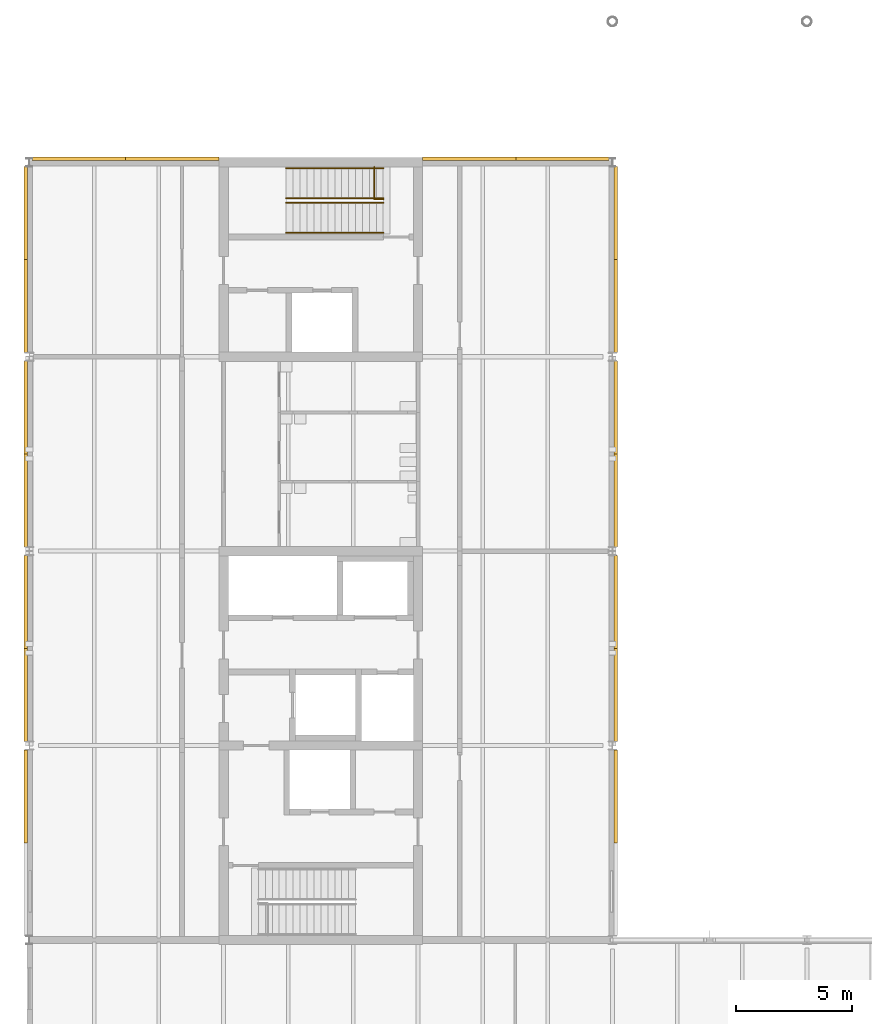
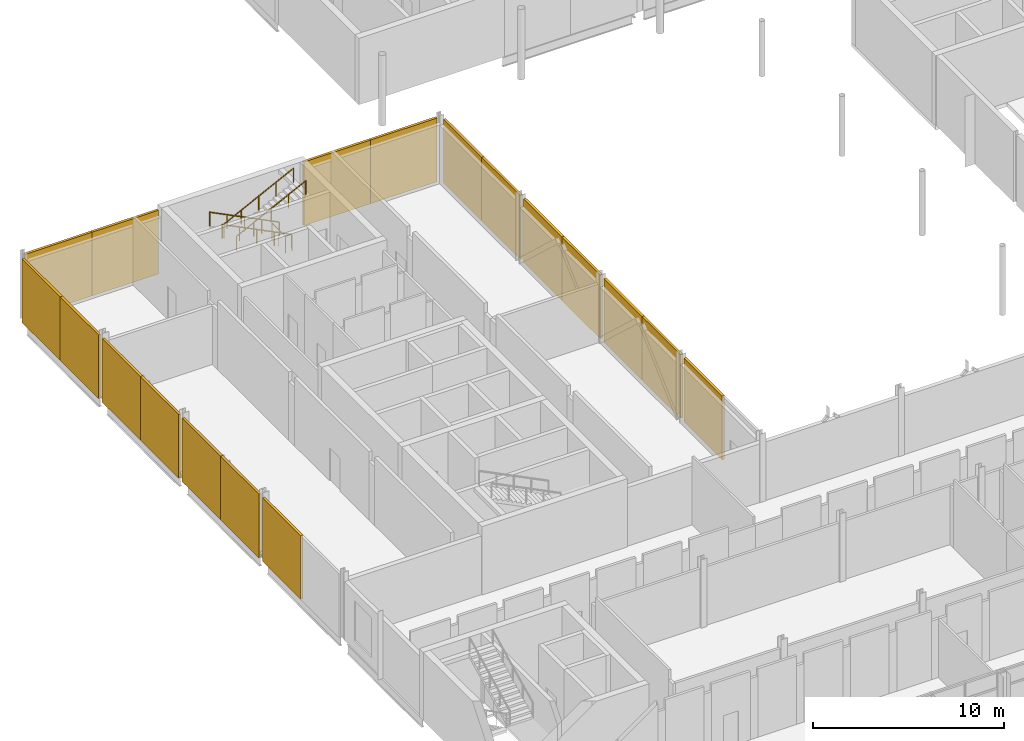
# One storey, part 80 of 89: 18 shading devices, 5 railings.
"""IFC4 building model written with IfcOpenShell, lengths in metres."""

from ifc_helpers import new_model, si_unit, direction, frame, origin, origin_2d, place, context, subcontext, project, spatial, rectangle, circle, extrude, material, layer, layer_set, type_object, element, save


model = new_model("IFC4")

# Units and contexts
model_context = context("Model", 3, precision=1e-05, world=origin(), true_north=direction((0.0, 1.0)))
body_context = subcontext(model_context, "Body", "Model", "MODEL_VIEW")
ifc_project = project(units=[si_unit("LENGTHUNIT", "METRE"), si_unit("AREAUNIT", "SQUARE_METRE"), si_unit("VOLUMEUNIT", "CUBIC_METRE"), si_unit("PLANEANGLEUNIT", "RADIAN"), si_unit("MASSUNIT", "GRAM", prefix="KILO")], contexts=[model_context])

# Site, building, storey
site_placement = place(None, origin())
site = spatial("IfcSite", under=ifc_project, at=site_placement, CompositionType="ELEMENT")
building_placement = place(site_placement, origin())
building = spatial("IfcBuilding", under=site, at=building_placement, Name="Hlaing Beacon Police Headquarters", CompositionType="ELEMENT")
storey_placement = place(building_placement, frame((0.0, 0.0, 9.89990234375)))
storey = spatial("IfcBuildingStorey", under=building, at=storey_placement, Name="L02", CompositionType="ELEMENT", Elevation=9.89990234375)

# Shading devices
ifc_material_1 = material(Name="Perforated aluminium", Category="aluminium")
ifc_layer = layer(ifc_material_1, 0.14990234375)
ifc_layer_set = layer_set([ifc_layer], Name="Perforated aluminium")
shading_device_type = type_object("IfcShadingDeviceType", Name="Perforated screen panel 150", PredefinedType="JALOUSIE", material=ifc_layer_set)
for number, where, z_axis, x_axis, name in (
    (1, (33.75, 39.806640625, 0.0), (0.0, 0.0, 1.0), (0.0, 1.0, 0.0), "Screen L02 E002"),
    (2, (33.75, 44.193359375, 0.0), (0.0, 0.0, 1.0), (0.0, 1.0, 0.0), "Screen L02 E003"),
    (3, (33.75, 48.20654296875, 0.0), (0.0, 0.0, 1.0), (0.0, 1.0, 0.0), "Screen L02 E004"),
    (4, (33.75, 52.593505859375, 0.0), (0.0, 0.0, 1.0), (0.0, 1.0, 0.0), "Screen L02 E005"),
    (5, (33.75, 56.606689453125, 0.0), (0.0, 0.0, 1.0), (0.0, 1.0, 0.0), "Screen L02 E006"),
):
    element("IfcShadingDevice", number, at=place(storey_placement, frame(where, z_axis=z_axis, x_axis=x_axis)), inside=storey, type_object=shading_device_type, Name=name, PredefinedType="JALOUSIE", context=body_context, shape_type="SweptSolid", body=[
        extrude(rectangle(XDim=4.01318359375, YDim=0.14990234375, at=origin_2d()), origin(), (0.0, 0.0, 1.0), 4.070068359375),
    ])
for number, where, z_axis, x_axis, name in (
    (6, (33.75, 60.994873046875, 0.0), (0.0, 0.0, 1.0), (0.0, 1.0, 0.0), "Screen L02 E007"),
    (7, (33.75, 65.011474609375, 0.0), (0.0, 0.0, 1.0), (0.0, 1.0, 0.0), "Screen L02 E008"),
):
    element("IfcShadingDevice", number, at=place(storey_placement, frame(where, z_axis=z_axis, x_axis=x_axis)), inside=storey, type_object=shading_device_type, Name=name, PredefinedType="JALOUSIE", context=body_context, shape_type="SweptSolid", body=[
        extrude(rectangle(XDim=4.0166015625, YDim=0.14990234375, at=origin_2d()), origin(), (0.0, 0.0, 1.0), 4.070068359375),
    ])
for number, where, z_axis, x_axis, name in (
    (8, (31.4375, 67.35009765625, 0.0), (0.0, 0.0, 1.0), (-1.0, 0.0, 0.0), "Screen L02 N009"),
    (9, (27.41259765625, 67.35009765625, 0.0), (0.0, 0.0, 1.0), (-1.0, 0.0, 0.0), "Screen L02 N010"),
):
    element("IfcShadingDevice", number, at=place(storey_placement, frame(where, z_axis=z_axis, x_axis=x_axis)), inside=storey, type_object=shading_device_type, Name=name, PredefinedType="JALOUSIE", context=body_context, shape_type="SweptSolid", body=[
        extrude(rectangle(XDim=4.02490234375, YDim=0.14990234375, at=origin_2d()), origin(), (0.0, 0.0, 1.0), 4.070068359375),
    ])
for number, where, z_axis, x_axis, name in (
    (10, (14.58203125, 67.35009765625, 0.0), (0.0, 0.0, 1.0), (-1.0, 0.0, 0.0), "Screen L02 N011"),
    (11, (10.546142578125, 67.35009765625, 0.0), (0.0, 0.0, 1.0), (-1.0, 0.0, 0.0), "Screen L02 N012"),
):
    element("IfcShadingDevice", number, at=place(storey_placement, frame(where, z_axis=z_axis, x_axis=x_axis)), inside=storey, type_object=shading_device_type, Name=name, PredefinedType="JALOUSIE", context=body_context, shape_type="SweptSolid", body=[
        extrude(rectangle(XDim=4.035888671875, YDim=0.14990234375, at=origin_2d()), origin(), (0.0, 0.0, 1.0), 4.070068359375),
    ])
for number, where, z_axis, x_axis, name in (
    (12, (8.25, 65.011474609375, 0.0), (0.0, 0.0, 1.0), (0.0, -1.0, 0.0), "Screen L02 W013"),
    (13, (8.25, 60.994873046875, 0.0), (0.0, 0.0, 1.0), (0.0, -1.0, 0.0), "Screen L02 W014"),
):
    element("IfcShadingDevice", number, at=place(storey_placement, frame(where, z_axis=z_axis, x_axis=x_axis)), inside=storey, type_object=shading_device_type, Name=name, PredefinedType="JALOUSIE", context=body_context, shape_type="SweptSolid", body=[
        extrude(rectangle(XDim=4.0166015625, YDim=0.14990234375, at=origin_2d()), origin(), (0.0, 0.0, 1.0), 4.070068359375),
    ])
for number, where, z_axis, x_axis, name in (
    (14, (8.25, 56.606689453125, 0.0), (0.0, 0.0, 1.0), (0.0, -1.0, 0.0), "Screen L02 W015"),
    (15, (8.25, 52.593505859375, 0.0), (0.0, 0.0, 1.0), (0.0, -1.0, 0.0), "Screen L02 W016"),
    (16, (8.25, 48.20654296875, 0.0), (0.0, 0.0, 1.0), (0.0, -1.0, 0.0), "Screen L02 W017"),
    (17, (8.25, 44.193359375, 0.0), (0.0, 0.0, 1.0), (0.0, -1.0, 0.0), "Screen L02 W018"),
):
    element("IfcShadingDevice", number, at=place(storey_placement, frame(where, z_axis=z_axis, x_axis=x_axis)), inside=storey, type_object=shading_device_type, Name=name, PredefinedType="JALOUSIE", context=body_context, shape_type="SweptSolid", body=[
        extrude(rectangle(XDim=4.01318359375, YDim=0.14990234375, at=origin_2d()), origin(), (0.0, 0.0, 1.0), 4.070068359375),
    ])
shading_device_placement = place(storey_placement, frame((8.25, 39.80517578125, 0.0), z_axis=(0.0, 0.0, 1.0), x_axis=(0.0, -1.0, 0.0)))
element("IfcShadingDevice", 18, at=shading_device_placement, inside=storey, type_object=shading_device_type, Name="Screen L02 W019", PredefinedType="JALOUSIE", context=body_context, shape_type="SweptSolid", body=[
    extrude(rectangle(XDim=4.0166015625, YDim=0.14990234375, at=origin_2d()), origin(), (0.0, 0.0, 1.0), 4.070068359375),
])

# Railings
ifc_material_2 = material(Name="Stainless steel", Category="steel")
railing_type_1 = type_object("IfcRailingType", Name="Stair guard 1100", PredefinedType="GUARDRAIL", material=ifc_material_2)
railing_placement = place(storey_placement, frame((23.300048828125, 67.0, 0.0)))
element("IfcRailing", 19, at=railing_placement, inside=storey, type_object=railing_type_1, Name="Guard ST-P", PredefinedType="GUARDRAIL", context=body_context, shape_type="SweptSolid", body=[
    extrude(circle(Radius=0.02392578125, at=origin_2d()), frame((0.0, 0.0, 1.076171875), z_axis=(0.0, -1.0, 0.0), x_axis=(1.0, 0.0, 0.0)), (0.0, 0.0, 1.0), 1.39990234375),
    extrude(circle(Radius=0.02392578125, at=origin_2d()), frame((0.0, -1.39990234375, 1.076171875), z_axis=(1.0, 0.0, 0.0), x_axis=(0.0, 1.0, 0.0)), (0.0, 0.0, 1.0), 0.39990234375),
    extrude(circle(Radius=0.02099609375, at=origin_2d()), origin(), (0.0, 0.0, 1.0), 1.052001953125),
    extrude(circle(Radius=0.02099609375, at=origin_2d()), frame((0.0, -0.699951171875, 0.0)), (0.0, 0.0, 1.0), 1.052001953125),
    extrude(circle(Radius=0.02099609375, at=origin_2d()), frame((0.0, -1.39990234375, 0.0)), (0.0, 0.0, 1.0), 1.052001953125),
    extrude(circle(Radius=0.02099609375, at=origin_2d()), frame((0.39990234375, -1.39990234375, 0.0)), (0.0, 0.0, 1.0), 1.052001953125),
])
ifc_material_3 = material(Name="Stainless steel", Category="steel")
railing_type_2 = type_object("IfcRailingType", Name="Stair handrail 900", PredefinedType="HANDRAIL", material=ifc_material_3)
for number, where, name in (
    (20, (23.699951171875, 66.949951171875, 0.150146484375), "Handrail ST-P"),
    (21, (23.699951171875, 65.64990234375, 0.150146484375), "Handrail ST-P"),
):
    element("IfcRailing", number, at=place(storey_placement, frame(where)), inside=storey, type_object=railing_type_2, Name=name, PredefinedType="HANDRAIL", context=body_context, shape_type="SweptSolid", body=[
        extrude(circle(Radius=0.02392578125, at=origin_2d()), frame((0.0, 0.0, 0.8759765625), z_axis=(-0.894437589381, 0.0, 0.447192798132), x_axis=(0.0, -1.0, 0.0)), (0.0, 0.0, 1.0), 4.695556640625),
        extrude(circle(Radius=0.02099609375, at=origin_2d()), origin(), (0.0, 0.0, 1.0), 0.851806640625),
        extrude(circle(Radius=0.02099609375, at=origin_2d()), frame((-1.050048828125, 0.0, 0.52490234375)), (0.0, 0.0, 1.0), 0.851806640625),
        extrude(circle(Radius=0.02099609375, at=origin_2d()), frame((-2.10009765625, 0.0, 1.0498046875)), (0.0, 0.0, 1.0), 0.851806640625),
        extrude(circle(Radius=0.02099609375, at=origin_2d()), frame((-3.14990234375, 0.0, 1.574951171875)), (0.0, 0.0, 1.0), 0.851806640625),
        extrude(circle(Radius=0.02099609375, at=origin_2d()), frame((-4.199951171875, 0.0, 2.099853515625)), (0.0, 0.0, 1.0), 0.851806640625),
    ])
for number, where, name in (
    (22, (19.5, 65.449951171875, 2.400146484375), "Handrail ST-P"),
    (23, (19.5, 64.14990234375, 2.400146484375), "Handrail ST-P"),
):
    element("IfcRailing", number, at=place(storey_placement, frame(where)), inside=storey, type_object=railing_type_2, Name=name, PredefinedType="HANDRAIL", context=body_context, shape_type="SweptSolid", body=[
        extrude(circle(Radius=0.02392578125, at=origin_2d()), frame((0.0, 0.0, 0.8759765625), z_axis=(0.894437589381, 0.0, 0.447192798132), x_axis=(0.0, 1.0, 0.0)), (0.0, 0.0, 1.0), 4.695556640625),
        extrude(circle(Radius=0.02099609375, at=origin_2d()), origin(), (0.0, 0.0, 1.0), 0.851806640625),
        extrude(circle(Radius=0.02099609375, at=origin_2d()), frame((1.050048828125, 0.0, 0.52490234375)), (0.0, 0.0, 1.0), 0.851806640625),
        extrude(circle(Radius=0.02099609375, at=origin_2d()), frame((2.10009765625, 0.0, 1.0498046875)), (0.0, 0.0, 1.0), 0.851806640625),
        extrude(circle(Radius=0.02099609375, at=origin_2d()), frame((3.14990234375, 0.0, 1.574951171875)), (0.0, 0.0, 1.0), 0.851806640625),
        extrude(circle(Radius=0.02099609375, at=origin_2d()), frame((4.199951171875, 0.0, 2.099853515625)), (0.0, 0.0, 1.0), 0.851806640625),
    ])

save(model, "model.ifc")
